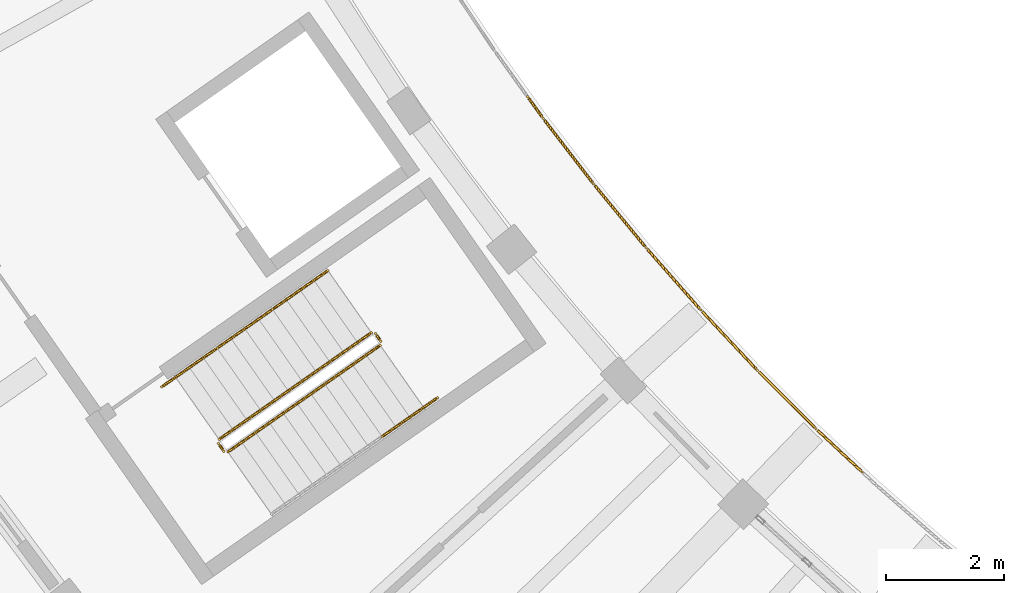
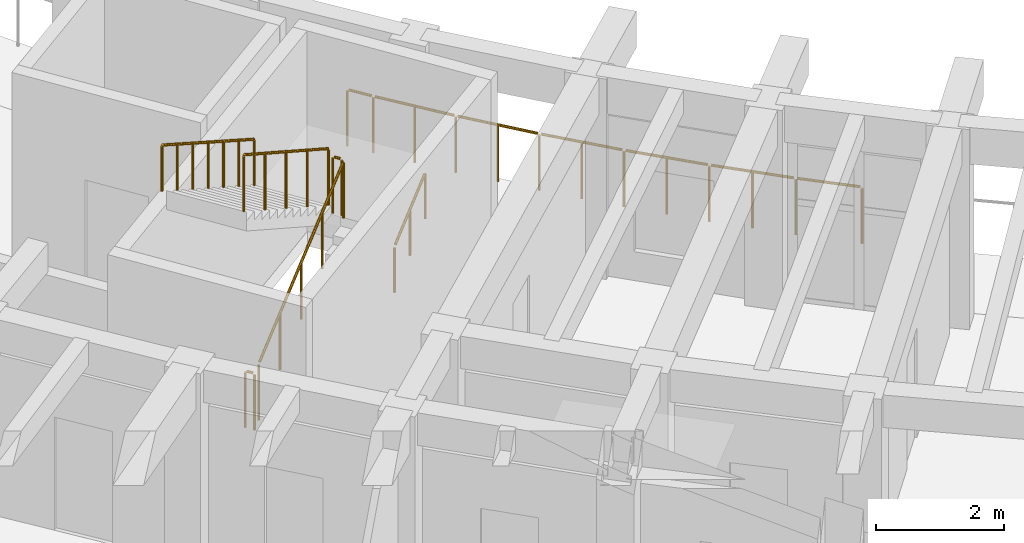
# One storey, part 108 of 128: 9 railings.
"""IFC4 building model written with IfcOpenShell, lengths in metres."""

from ifc_helpers import new_model, si_unit, direction, frame, origin, origin_2d, place, context, subcontext, project, spatial, circle, extrude, material, type_object, element, save


model = new_model("IFC4")

# Units and contexts
model_context = context("Model", 3, precision=1e-05, world=origin(), true_north=direction((0.0, 1.0)))
body_context = subcontext(model_context, "Body", "Model", "MODEL_VIEW")
ifc_project = project(units=[si_unit("LENGTHUNIT", "METRE"), si_unit("AREAUNIT", "SQUARE_METRE"), si_unit("VOLUMEUNIT", "CUBIC_METRE"), si_unit("PLANEANGLEUNIT", "RADIAN"), si_unit("MASSUNIT", "GRAM", prefix="KILO")], contexts=[model_context])

# Site, building, storey
site_placement = place(None, origin())
site = spatial("IfcSite", under=ifc_project, at=site_placement, CompositionType="ELEMENT")
building_placement = place(site_placement, origin())
building = spatial("IfcBuilding", under=site, at=building_placement, Name="Tanwirah Colonnade Gardens", CompositionType="ELEMENT")
storey_placement = place(building_placement, frame((0.0, 0.0, 4.760009765625)))
storey = spatial("IfcBuildingStorey", under=building, at=storey_placement, Name="L01", CompositionType="ELEMENT", Elevation=4.760009765625)

# Railings
ifc_material_1 = material(Name="Precast concrete C40/50", Category="concrete")
railing_type_1 = type_object("IfcRailingType", Name="BAL-EXT110", PredefinedType="BALUSTRADE", material=ifc_material_1)
railing_1_placement = place(storey_placement, frame((30.484375, 39.403564453125, 0.0)))
element("IfcRailing", 1, at=railing_1_placement, inside=storey, type_object=railing_type_1, Name="Block C L01 Balcony Ribbon Balustrade 3", PredefinedType="BALUSTRADE", context=body_context, shape_type="SweptSolid", body=[
    extrude(circle(Radius=0.02392578125, at=origin_2d()), frame((0.018310546875, -0.025390625, 1.076171875), z_axis=(0.583501451955, -0.812112095444, 0.0), x_axis=(0.812112095444, 0.583501451955, 0.0)), (0.0, 0.0, 1.0), 0.385986328125),
    extrude(circle(Radius=0.02392578125, at=origin_2d()), frame((0.2822265625, -0.391357421875, 1.076171875), z_axis=(0.609651512095, -0.792669561546, 0.0), x_axis=(0.792669561546, 0.609651512095, 0.0)), (0.0, 0.0, 1.0), 1.33154296875),
    extrude(circle(Radius=0.02392578125, at=origin_2d()), frame((1.134521484375, -1.49755859375, 1.076171875), z_axis=(0.635209885743, -0.77233956331, 0.0), x_axis=(0.77233956331, 0.635209885743, 0.0)), (0.0, 0.0, 1.0), 1.33154296875),
    extrude(circle(Radius=0.02392578125, at=origin_2d()), frame((2.022705078125, -2.57568359375, 1.076171875), z_axis=(0.660288280901, -0.751012240982, 0.0), x_axis=(0.751012240982, 0.660288280901, 0.0)), (0.0, 0.0, 1.0), 1.33154296875),
    extrude(circle(Radius=0.02392578125, at=origin_2d()), frame((2.945556640625, -3.623779296875, 1.076171875), z_axis=(0.684424509294, -0.729083733928, 0.0), x_axis=(0.729083733928, 0.684424509294, 0.0)), (0.0, 0.0, 1.0), 1.33154296875),
    extrude(circle(Radius=0.02392578125, at=origin_2d()), frame((3.902099609375, -4.641357421875, 1.076171875), z_axis=(0.707894448134, -0.706318235855, 0.0), x_axis=(0.706318235855, 0.707894448134, 0.0)), (0.0, 0.0, 1.0), 1.33154296875),
    extrude(circle(Radius=0.02392578125, at=origin_2d()), frame((4.8916015625, -5.627197265625, 1.076171875), z_axis=(0.730536879767, -0.682873243948, 0.0), x_axis=(0.682873243948, 0.730536879767, 0.0)), (0.0, 0.0, 1.0), 1.0029296875),
    extrude(circle(Radius=0.02099609375, at=origin_2d()), origin(), (0.0, 0.0, 1.0), 1.049072265625),
    extrude(circle(Radius=0.02099609375, at=origin_2d()), frame((0.26171875, -0.3642578125, 0.0)), (0.0, 0.0, 1.0), 1.049072265625),
    extrude(circle(Radius=0.02099609375, at=origin_2d()), frame((0.68798828125, -0.9189453125, 0.0)), (0.0, 0.0, 1.0), 1.049072265625),
    extrude(circle(Radius=0.02099609375, at=origin_2d()), frame((1.113037109375, -1.471435546875, 0.0)), (0.0, 0.0, 1.0), 1.049072265625),
    extrude(circle(Radius=0.02099609375, at=origin_2d()), frame((1.5576171875, -2.01171875, 0.0)), (0.0, 0.0, 1.0), 1.049072265625),
    extrude(circle(Radius=0.02099609375, at=origin_2d()), frame((2.000244140625, -2.550048828125, 0.0)), (0.0, 0.0, 1.0), 1.049072265625),
    extrude(circle(Radius=0.02099609375, at=origin_2d()), frame((2.462158203125, -3.07568359375, 0.0)), (0.0, 0.0, 1.0), 1.049072265625),
    extrude(circle(Radius=0.02099609375, at=origin_2d()), frame((2.92236328125, -3.59912109375, 0.0)), (0.0, 0.0, 1.0), 1.049072265625),
    extrude(circle(Radius=0.02099609375, at=origin_2d()), frame((3.401123046875, -4.109375, 0.0)), (0.0, 0.0, 1.0), 1.049072265625),
    extrude(circle(Radius=0.02099609375, at=origin_2d()), frame((3.878173828125, -4.617431640625, 0.0)), (0.0, 0.0, 1.0), 1.049072265625),
    extrude(circle(Radius=0.02099609375, at=origin_2d()), frame((4.373291015625, -5.11181640625, 0.0)), (0.0, 0.0, 1.0), 1.049072265625),
    extrude(circle(Radius=0.02099609375, at=origin_2d()), frame((4.86669921875, -5.60400390625, 0.0)), (0.0, 0.0, 1.0), 1.049072265625),
    extrude(circle(Radius=0.02099609375, at=origin_2d()), frame((5.64697265625, -6.33349609375, 0.0)), (0.0, 0.0, 1.0), 1.049072265625),
])
ifc_material_2 = material(Name="Powder-coated galvanized steel", Category="steel")
railing_type_2 = type_object("IfcRailingType", Name="GRD-ST110", PredefinedType="GUARDRAIL", material=ifc_material_2)
railing_2_placement = place(storey_placement, frame((25.426513671875, 33.40869140625, 0.169921875)))
element("IfcRailing", 2, at=railing_2_placement, inside=storey, type_object=railing_type_2, Name="L01 ST-C1 stair guard 1", PredefinedType="GUARDRAIL", context=body_context, shape_type="SweptSolid", body=[
    extrude(circle(Radius=0.02392578125, at=origin_2d()), frame((0.02197265625, 0.015380859375, 1.092041015625), z_axis=(0.70347488757, 0.492592940383, 0.51232341118), x_axis=(-0.573587782282, 0.819144099666, 0.0)), (0.0, 0.0, 1.0), 3.587646484375),
    extrude(circle(Radius=0.02099609375, at=origin_2d()), origin(), (0.0, 0.0, 1.0), 1.049072265625),
    extrude(circle(Radius=0.02099609375, at=origin_2d()), frame((0.64208984375, 0.449462890625, 0.467529296875)), (0.0, 0.0, 1.0), 1.049072265625),
    extrude(circle(Radius=0.02099609375, at=origin_2d()), frame((1.283935546875, 0.89892578125, 0.93505859375)), (0.0, 0.0, 1.0), 1.049072265625),
    extrude(circle(Radius=0.02099609375, at=origin_2d()), frame((1.92578125, 1.3486328125, 1.402587890625)), (0.0, 0.0, 1.0), 1.049072265625),
    extrude(circle(Radius=0.02099609375, at=origin_2d()), frame((2.56787109375, 1.798095703125, 1.8701171875)), (0.0, 0.0, 1.0), 1.049072265625),
])
railing_3_placement = place(storey_placement, frame((28.0068359375, 35.276611328125, 2.0400390625)))
element("IfcRailing", 3, at=railing_3_placement, inside=storey, type_object=railing_type_2, Name="L01 ST-C1 stair guard 2", PredefinedType="GUARDRAIL", context=body_context, shape_type="SweptSolid", body=[
    extrude(circle(Radius=0.02392578125, at=origin_2d()), frame((-0.017822265625, 0.025634765625, 1.076171875), z_axis=(-0.57356471828, 0.819160249246, 0.0), x_axis=(-0.819160249246, -0.57356471828, 0.0)), (0.0, 0.0, 1.0), 0.097412109375),
    extrude(circle(Radius=0.02099609375, at=origin_2d()), origin(), (0.0, 0.0, 1.0), 1.049072265625),
    extrude(circle(Radius=0.02099609375, at=origin_2d()), frame((-0.091796875, 0.131103515625, 0.0)), (0.0, 0.0, 1.0), 1.049072265625),
])
railing_4_placement = place(storey_placement, frame((27.84521484375, 35.419921875, 2.2099609375)))
element("IfcRailing", 4, at=railing_4_placement, inside=storey, type_object=railing_type_2, Name="L01 ST-C1 stair guard 3", PredefinedType="GUARDRAIL", context=body_context, shape_type="SweptSolid", body=[
    extrude(circle(Radius=0.02392578125, at=origin_2d()), frame((-0.02197265625, -0.015380859375, 1.092041015625), z_axis=(-0.70347488757, -0.492592940383, 0.51232341118), x_axis=(0.573587782282, -0.819144099666, 0.0)), (0.0, 0.0, 1.0), 3.587646484375),
    extrude(circle(Radius=0.02099609375, at=origin_2d()), origin(), (0.0, 0.0, 1.0), 1.049072265625),
    extrude(circle(Radius=0.02099609375, at=origin_2d()), frame((-0.64208984375, -0.449462890625, 0.467529296875)), (0.0, 0.0, 1.0), 1.049072265625),
    extrude(circle(Radius=0.02099609375, at=origin_2d()), frame((-1.283935546875, -0.89892578125, 0.93505859375)), (0.0, 0.0, 1.0), 1.049072265625),
    extrude(circle(Radius=0.02099609375, at=origin_2d()), frame((-1.92578125, -1.3486328125, 1.402587890625)), (0.0, 0.0, 1.0), 1.049072265625),
    extrude(circle(Radius=0.02099609375, at=origin_2d()), frame((-2.56787109375, -1.798095703125, 1.8701171875)), (0.0, 0.0, 1.0), 1.049072265625),
])
railing_5_placement = place(storey_placement, frame((25.356689453125, 33.4208984375, 0.0)))
element("IfcRailing", 5, at=railing_5_placement, inside=storey, type_object=railing_type_2, Name="L01 ST-C1 stair guard 4", PredefinedType="GUARDRAIL", context=body_context, shape_type="SweptSolid", body=[
    extrude(circle(Radius=0.02392578125, at=origin_2d()), frame((-0.017822265625, 0.025634765625, 1.076171875), z_axis=(-0.57356471828, 0.819160249246, 0.0), x_axis=(-0.819160249246, -0.57356471828, 0.0)), (0.0, 0.0, 1.0), 0.097412109375),
    extrude(circle(Radius=0.02099609375, at=origin_2d()), origin(), (0.0, 0.0, 1.0), 1.049072265625),
    extrude(circle(Radius=0.02099609375, at=origin_2d()), frame((-0.091796875, 0.131103515625, 0.0)), (0.0, 0.0, 1.0), 1.049072265625),
])
ifc_material_3 = material(Name="Brushed bronze stainless steel", Category="steel")
railing_type_3 = type_object("IfcRailingType", Name="HR-ST090", PredefinedType="HANDRAIL", material=ifc_material_3)
railing_6_placement = place(storey_placement, frame((28.0283203125, 33.66796875, 1.5419921875)))
element("IfcRailing", 6, at=railing_6_placement, inside=storey, type_object=railing_type_3, Name="L01 ST-C1 stair handrail 3", PredefinedType="HANDRAIL", context=body_context, shape_type="SweptSolid", body=[
    extrude(circle(Radius=0.02392578125, at=origin_2d()), frame((0.02197265625, 0.015380859375, 0.89208984375), z_axis=(0.701883200119, 0.491409989521, 0.515631841133), x_axis=(-0.573534209649, 0.819181610122, 0.0)), (0.0, 0.0, 1.0), 1.26806640625),
    extrude(circle(Radius=0.02099609375, at=origin_2d()), origin(), (0.0, 0.0, 1.0), 0.848876953125),
    extrude(circle(Radius=0.02099609375, at=origin_2d()), frame((0.466796875, 0.326904296875, 0.343017578125)), (0.0, 0.0, 1.0), 0.848876953125),
    extrude(circle(Radius=0.02099609375, at=origin_2d()), frame((0.933837890625, 0.65380859375, 0.68603515625)), (0.0, 0.0, 1.0), 0.848876953125),
])
railing_7_placement = place(storey_placement, frame((27.111083984375, 36.468505859375, 2.2099609375)))
element("IfcRailing", 7, at=railing_7_placement, inside=storey, type_object=railing_type_3, Name="L01 ST-C1 stair handrail 4", PredefinedType="HANDRAIL", context=body_context, shape_type="SweptSolid", body=[
    extrude(circle(Radius=0.02392578125, at=origin_2d()), frame((-0.02197265625, -0.015380859375, 0.89208984375), z_axis=(-0.701819905824, -0.491549157569, 0.515585342579), x_axis=(0.573677900503, -0.81908098896, 0.0)), (0.0, 0.0, 1.0), 1.26806640625),
    extrude(circle(Radius=0.02099609375, at=origin_2d()), origin(), (0.0, 0.0, 1.0), 0.848876953125),
    extrude(circle(Radius=0.02099609375, at=origin_2d()), frame((-0.466796875, -0.3271484375, 0.343017578125)), (0.0, 0.0, 1.0), 0.848876953125),
    extrude(circle(Radius=0.02099609375, at=origin_2d()), frame((-0.933837890625, -0.654052734375, 0.68603515625)), (0.0, 0.0, 1.0), 0.848876953125),
])
for number, where, name in (
    (8, (26.17724609375, 35.814453125, 2.89599609375), "L01 ST-C1 stair handrail 5"),
    (9, (25.243408203125, 35.16064453125, 3.58203125), "L01 ST-C1 stair handrail 6"),
):
    element("IfcRailing", number, at=place(storey_placement, frame(where)), inside=storey, type_object=railing_type_3, Name=name, PredefinedType="HANDRAIL", context=body_context, shape_type="SweptSolid", body=[
        extrude(circle(Radius=0.02392578125, at=origin_2d()), frame((-0.02197265625, -0.015380859375, 0.89208984375), z_axis=(-0.701883200119, -0.491409989521, 0.515631841133), x_axis=(0.573534209649, -0.819181610122, 0.0)), (0.0, 0.0, 1.0), 1.26806640625),
        extrude(circle(Radius=0.02099609375, at=origin_2d()), origin(), (0.0, 0.0, 1.0), 0.848876953125),
        extrude(circle(Radius=0.02099609375, at=origin_2d()), frame((-0.466796875, -0.326904296875, 0.343017578125)), (0.0, 0.0, 1.0), 0.848876953125),
        extrude(circle(Radius=0.02099609375, at=origin_2d()), frame((-0.933837890625, -0.65380859375, 0.68603515625)), (0.0, 0.0, 1.0), 0.848876953125),
    ])

save(model, "model.ifc")
